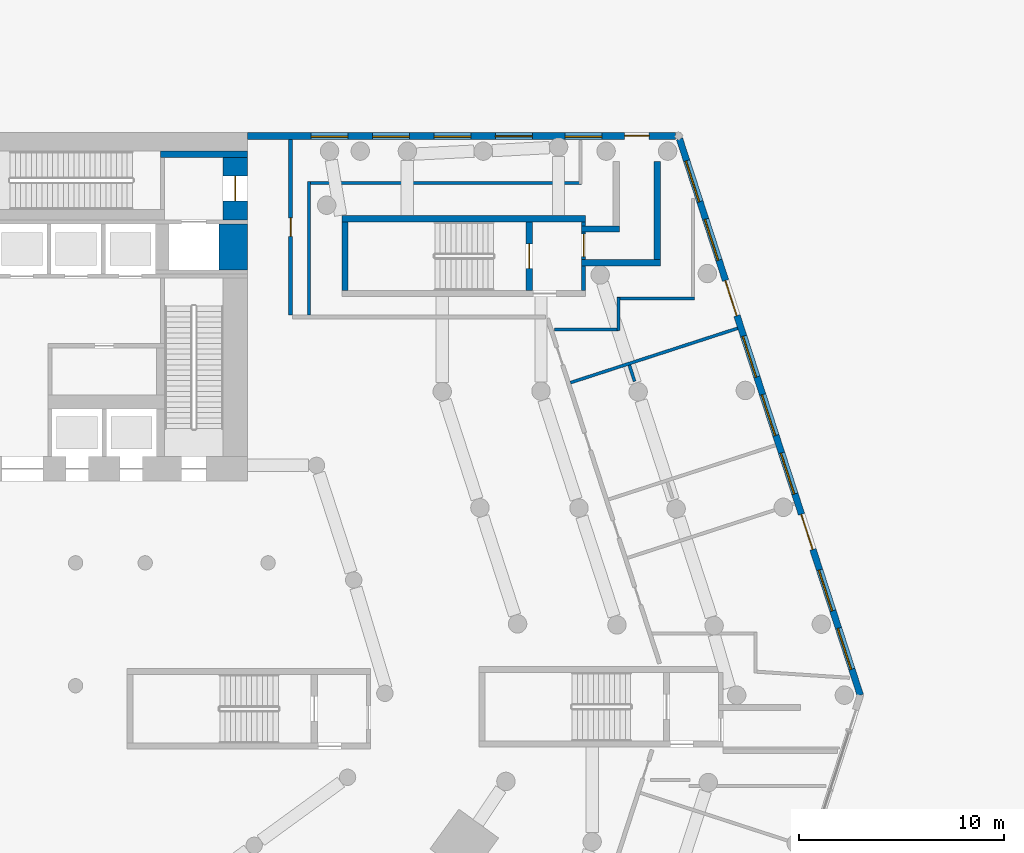
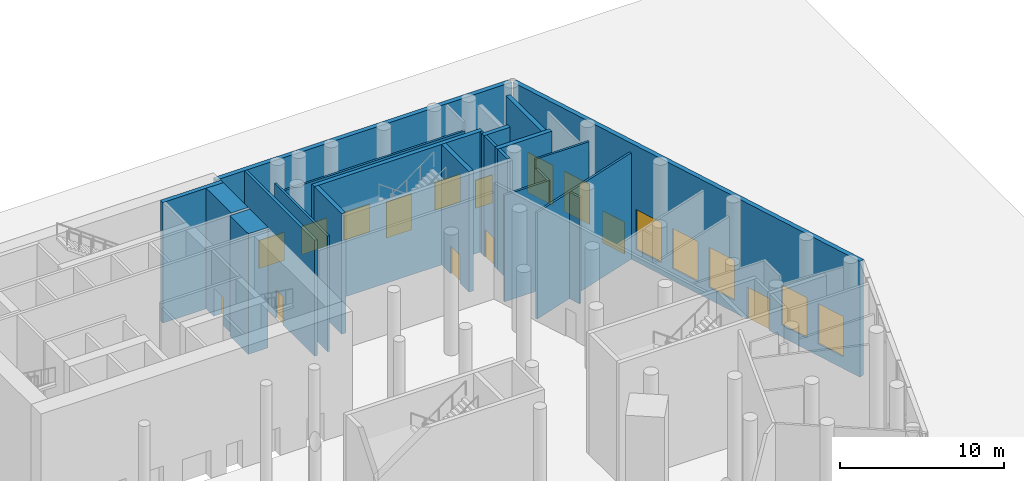
# One storey, part 16 of 25: 22 walls, 11 windows, 8 doors, 19 openings.
"""IFC4 building model written with IfcOpenShell, lengths in metres."""

from ifc_helpers import new_model, si_unit, direction, frame, frame_2d, origin, place, context, subcontext, project, spatial, rectangle, extrude, material, layer, layer_set, type_object, element, fill, save


model = new_model("IFC4")

# Units and contexts
model_context = context("Model", 3, precision=1e-05, world=origin(), true_north=direction((0.0, 1.0)))
body_context = subcontext(model_context, "Body", "Model", "MODEL_VIEW")
ifc_project = project(units=[si_unit("LENGTHUNIT", "METRE"), si_unit("AREAUNIT", "SQUARE_METRE"), si_unit("VOLUMEUNIT", "CUBIC_METRE"), si_unit("PLANEANGLEUNIT", "RADIAN"), si_unit("MASSUNIT", "GRAM", prefix="KILO")], contexts=[model_context])

# Site, building, storey
site_placement = place(None, origin())
site = spatial("IfcSite", under=ifc_project, at=site_placement, CompositionType="ELEMENT")
building_placement = place(site_placement, origin())
building = spatial("IfcBuilding", under=site, at=building_placement, Name="White Candle Pilgrim Tower", CompositionType="ELEMENT")
storey_placement = place(building_placement, origin())
storey = spatial("IfcBuildingStorey", under=building, at=storey_placement, Name="L00", CompositionType="ELEMENT", Elevation=0.0)

# Wall, opening, door
ifc_material_1 = material(Name="Concrete C70/85", Category="concrete")
ifc_layer_1 = layer(ifc_material_1, 1.199951171875)
ifc_layer_set_1 = layer_set([ifc_layer_1], Name="Core wall 1200 mm Concrete C70/85")
wall_type_1 = type_object("IfcWallType", Name="Core wall 1200 mm Concrete C70/85", PredefinedType="SHEAR", material=ifc_layer_set_1)
wall_1_placement = place(storey_placement, frame((80.39990234375, 83.75, 0.0), z_axis=(0.0, 0.0, 1.0), x_axis=(0.0, 1.0, 0.0)))
wall_1 = element("IfcWall", 1, at=wall_1_placement, inside=storey, type_object=wall_type_1, Name="WL-L00-C90", PredefinedType="SHEAR", context=body_context, shape_type="SweptSolid", body=[
    extrude(rectangle(XDim=3.050048828125, YDim=1.199951171875, at=frame_2d((1.52490234375, 0.0))), origin(), (0.0, 0.0, 1.0), 9.0),
])
opening_1_placement = place(wall_1_placement, frame((0.925048828125, 0.0, 0.0)))
opening_1 = element("IfcOpeningElement", 2, at=opening_1_placement, cuts=wall_1, Name="Opening L00-006", PredefinedType="OPENING", context=body_context, shape_type="SweptSolid", body=[
    extrude(rectangle(XDim=1.199951171875, YDim=2.10009765625, at=frame_2d((0.60009765625, 1.050048828125))), frame((0.0, 0.60986328125, 0.0), z_axis=(0.0, -1.0, 0.0), x_axis=(1.0, 0.0, 0.0)), (0.0, 0.0, 1.0), 1.219970703125),
])
ifc_material_2 = material(Name="Steel door leaf", Category="steel")
door_type_1 = type_object("IfcDoorType", Name="Fire door 1200 x 2100 EI 30", OperationType="NOTDEFINED", PredefinedType="DOOR", material=ifc_material_2)
door_1_placement = place(opening_1_placement, origin())
door_1 = element("IfcDoor", 3, at=door_1_placement, inside=storey, type_object=door_type_1, Name="Door L00-006", OperationType="SINGLE_SWING_RIGHT", OverallHeight=2.10009765625, OverallWidth=1.199951171875, PredefinedType="DOOR", context=body_context, shape_type="SweptSolid", body=[
    extrude(rectangle(XDim=1.199951171875, YDim=2.10009765625, at=frame_2d((0.60009765625, 1.050048828125))), frame((0.0, 0.02490234375, 0.0), z_axis=(0.0, -1.0, 0.0), x_axis=(1.0, 0.0, 0.0)), (0.0, 0.0, 1.0), 0.050048828125),
])
fill(opening_1, door_1)

# Walls
ifc_layer_2 = layer(ifc_material_1, 1.39990234375)
ifc_layer_set_2 = layer_set([ifc_layer_2], Name="Core wall 1400 mm Concrete C70/85")
wall_type_2 = type_object("IfcWallType", Name="Core wall 1400 mm Concrete C70/85", PredefinedType="SHEAR", material=ifc_layer_set_2)
wall_2_placement = place(storey_placement, frame((80.300048828125, 81.300048828125, 0.0), z_axis=(0.0, 0.0, 1.0), x_axis=(0.0, 1.0, 0.0)))
element("IfcWall", 4, at=wall_2_placement, inside=storey, type_object=wall_type_2, Name="WL-L00-C78", PredefinedType="SHEAR", context=body_context, shape_type="SweptSolid", body=[
    extrude(rectangle(XDim=2.25, YDim=1.39990234375, at=frame_2d((1.125, 0.0))), origin(), (0.0, 0.0, 1.0), 9.0),
])
ifc_layer_3 = layer(ifc_material_1, 0.199951171875)
ifc_layer_set_3 = layer_set([ifc_layer_3], Name="Core wall 200 mm Concrete C70/85")
wall_type_3 = type_object("IfcWallType", Name="Core wall 200 mm Concrete C70/85", PredefinedType="SHEAR", material=ifc_layer_set_3)
wall_3_placement = place(storey_placement, frame((97.39990234375, 80.300048828125, 0.0), z_axis=(0.0, 0.0, 1.0), x_axis=(0.0, 1.0, 0.0)))
element("IfcWall", 5, at=wall_3_placement, inside=storey, type_object=wall_type_3, Name="WL-L00-C67", PredefinedType="SHEAR", context=body_context, shape_type="SweptSolid", body=[
    extrude(rectangle(XDim=1.199951171875, YDim=0.199951171875, at=frame_2d((0.60009765625, 0.0))), origin(), (0.0, 0.0, 1.0), 9.0),
])
wall_4_placement = place(storey_placement, frame((97.300048828125, 83.550048828125, 0.0), z_axis=(0.0, 0.0, 1.0), x_axis=(1.0, 0.0, 0.0)))
element("IfcWall", 6, at=wall_4_placement, inside=storey, type_object=wall_type_3, Name="WL-L00-C83", PredefinedType="SHEAR", context=body_context, shape_type="SweptSolid", body=[
    extrude(rectangle(XDim=0.199951171875, YDim=0.199951171875, at=frame_2d((0.10009765625, 0.0))), origin(), (0.0, 0.0, 1.0), 9.0),
])

# Wall, opening, door
ifc_material_3 = material(Name="Gypsum board on steel studs", Category="steel")
ifc_layer_4 = layer(ifc_material_3, 0.199951171875)
ifc_layer_set_4 = layer_set([ifc_layer_4], Name="Corridor wall 200 mm EI 45")
wall_type_4 = type_object("IfcWallType", Name="Corridor wall 200 mm EI 45", PredefinedType="PARTITIONING", material=ifc_layer_set_4)
wall_5_placement = place(storey_placement, frame((83.10009765625, 87.679931640625, 0.0), z_axis=(0.0, 0.0, 1.0), x_axis=(0.0, -1.0, 0.0)))
wall_5 = element("IfcWall", 7, at=wall_5_placement, inside=storey, type_object=wall_type_4, Name="WL-L00-P008", PredefinedType="PARTITIONING", context=body_context, shape_type="SweptSolid", body=[
    extrude(rectangle(XDim=8.579833984375, YDim=0.199951171875, at=frame_2d((4.2900390625, 0.0))), origin(), (0.0, 0.0, 1.0), 8.64990234375),
])
opening_2_placement = place(wall_5_placement, frame((3.840087890625, 0.0, 0.0)))
opening_2 = element("IfcOpeningElement", 8, at=opening_2_placement, cuts=wall_5, Name="Opening L00-125", PredefinedType="OPENING", context=body_context, shape_type="SweptSolid", body=[
    extrude(rectangle(XDim=0.89990234375, YDim=2.10009765625, at=frame_2d((0.449951171875, 1.050048828125))), frame((0.0, 0.10986328125, 0.0), z_axis=(0.0, -1.0, 0.0), x_axis=(1.0, 0.0, 0.0)), (0.0, 0.0, 1.0), 0.219970703125),
])
door_type_2 = type_object("IfcDoorType", Name="Fire door 900 x 2100 EI 30", OperationType="NOTDEFINED", PredefinedType="DOOR", material=ifc_material_2)
door_2_placement = place(opening_2_placement, origin())
door_2 = element("IfcDoor", 9, at=door_2_placement, inside=storey, type_object=door_type_2, Name="Door L00-125", OperationType="SINGLE_SWING_LEFT", OverallHeight=2.10009765625, OverallWidth=0.89990234375, PredefinedType="DOOR", context=body_context, shape_type="SweptSolid", body=[
    extrude(rectangle(XDim=0.89990234375, YDim=2.10009765625, at=frame_2d((0.449951171875, 1.050048828125))), frame((0.0, 0.02490234375, 0.0), z_axis=(0.0, -1.0, 0.0), x_axis=(1.0, 0.0, 0.0)), (0.0, 0.0, 1.0), 0.050048828125),
])
fill(opening_2, door_2)

# Wall, openings, doors, windows
ifc_material_4 = material(Name="Precast concrete C40/50", Category="concrete")
ifc_layer_5 = layer(ifc_material_4, 0.320068359375)
ifc_layer_set_5 = layer_set([ifc_layer_5], Name="Facade wall EW3 precast concrete C40/50 and stone-faced podium wall")
wall_type_5 = type_object("IfcWallType", Name="Facade wall EW3 precast concrete C40/50 and stone-faced podium wall", PredefinedType="SOLIDWALL", material=ifc_layer_set_5)
wall_6_placement = place(storey_placement, frame((110.911865234375, 60.5390625, 0.0), z_axis=(0.0, 0.0, 1.0), x_axis=(-0.309016476183, 0.951056684666, 0.0)))
wall_6 = element("IfcWall", 10, at=wall_6_placement, inside=storey, type_object=wall_type_5, Name="Facade wall L00 ENE", PredefinedType="SOLIDWALL", context=body_context, shape_type="SweptSolid", body=[
    extrude(rectangle(XDim=28.555908203125, YDim=0.320068359375, at=frame_2d((14.27783203125, 0.0))), origin(), (0.0, 0.0, 1.0), 8.64990234375),
])
opening_3_placement = place(wall_6_placement, frame((1.3349609375, 0.0, 0.89990234375)))
opening_3 = element("IfcOpeningElement", 11, at=opening_3_placement, cuts=wall_6, Name="Opening W7", PredefinedType="OPENING", context=body_context, shape_type="SweptSolid", body=[
    extrude(rectangle(XDim=2.10009765625, YDim=3.0, at=frame_2d((1.050048828125, 1.5))), frame((0.0, 0.169921875, 0.0), z_axis=(0.0, -1.0, 0.0), x_axis=(1.0, 0.0, 0.0)), (0.0, 0.0, 1.0), 0.340087890625),
])
opening_4_placement = place(wall_6_placement, frame((4.3349609375, 0.0, 0.89990234375)))
opening_4 = element("IfcOpeningElement", 12, at=opening_4_placement, cuts=wall_6, Name="Opening W7", PredefinedType="OPENING", context=body_context, shape_type="SweptSolid", body=[
    extrude(rectangle(XDim=2.10009765625, YDim=3.0, at=frame_2d((1.050048828125, 1.5))), frame((0.0, 0.169921875, 0.0), z_axis=(0.0, -1.0, 0.0), x_axis=(1.0, 0.0, 0.0)), (0.0, 0.0, 1.0), 0.340087890625),
])
opening_5_placement = place(wall_6_placement, frame((7.485107421875, 0.0, 0.0)))
opening_5 = element("IfcOpeningElement", 13, at=opening_5_placement, cuts=wall_6, Name="Opening L00-914", PredefinedType="OPENING", context=body_context, shape_type="SweptSolid", body=[
    extrude(rectangle(XDim=1.800048828125, YDim=2.39990234375, at=frame_2d((0.89990234375, 1.199951171875))), frame((0.0, 0.169921875, 0.0), z_axis=(0.0, -1.0, 0.0), x_axis=(1.0, 0.0, 0.0)), (0.0, 0.0, 1.0), 0.340087890625),
])
opening_6_placement = place(wall_6_placement, frame((10.3349609375, 0.0, 0.89990234375)))
opening_6 = element("IfcOpeningElement", 14, at=opening_6_placement, cuts=wall_6, Name="Opening W7", PredefinedType="OPENING", context=body_context, shape_type="SweptSolid", body=[
    extrude(rectangle(XDim=2.10009765625, YDim=3.0, at=frame_2d((1.050048828125, 1.5))), frame((0.0, 0.169921875, 0.0), z_axis=(0.0, -1.0, 0.0), x_axis=(1.0, 0.0, 0.0)), (0.0, 0.0, 1.0), 0.340087890625),
])
opening_7_placement = place(wall_6_placement, frame((13.3349609375, 0.0, 0.89990234375)))
opening_7 = element("IfcOpeningElement", 15, at=opening_7_placement, cuts=wall_6, Name="Opening W7", PredefinedType="OPENING", context=body_context, shape_type="SweptSolid", body=[
    extrude(rectangle(XDim=2.10009765625, YDim=3.0, at=frame_2d((1.050048828125, 1.5))), frame((0.0, 0.169921875, 0.0), z_axis=(0.0, -1.0, 0.0), x_axis=(1.0, 0.0, 0.0)), (0.0, 0.0, 1.0), 0.340087890625),
])
opening_8_placement = place(wall_6_placement, frame((16.3349609375, 0.0, 0.89990234375)))
opening_8 = element("IfcOpeningElement", 16, at=opening_8_placement, cuts=wall_6, Name="Opening W7", PredefinedType="OPENING", context=body_context, shape_type="SweptSolid", body=[
    extrude(rectangle(XDim=2.10009765625, YDim=3.0, at=frame_2d((1.050048828125, 1.5))), frame((0.0, 0.169921875, 0.0), z_axis=(0.0, -1.0, 0.0), x_axis=(1.0, 0.0, 0.0)), (0.0, 0.0, 1.0), 0.340087890625),
])
opening_9_placement = place(wall_6_placement, frame((19.485107421875, 0.0, 0.0)))
opening_9 = element("IfcOpeningElement", 17, at=opening_9_placement, cuts=wall_6, Name="Opening L00-915", PredefinedType="OPENING", context=body_context, shape_type="SweptSolid", body=[
    extrude(rectangle(XDim=1.800048828125, YDim=2.39990234375, at=frame_2d((0.89990234375, 1.199951171875))), frame((0.0, 0.169921875, 0.0), z_axis=(0.0, -1.0, 0.0), x_axis=(1.0, 0.0, 0.0)), (0.0, 0.0, 1.0), 0.340087890625),
])
opening_10_placement = place(wall_6_placement, frame((22.3349609375, 0.0, 0.89990234375)))
opening_10 = element("IfcOpeningElement", 18, at=opening_10_placement, cuts=wall_6, Name="Opening W7", PredefinedType="OPENING", context=body_context, shape_type="SweptSolid", body=[
    extrude(rectangle(XDim=2.10009765625, YDim=3.0, at=frame_2d((1.050048828125, 1.5))), frame((0.0, 0.169921875, 0.0), z_axis=(0.0, -1.0, 0.0), x_axis=(1.0, 0.0, 0.0)), (0.0, 0.0, 1.0), 0.340087890625),
])
opening_11_placement = place(wall_6_placement, frame((25.3349609375, 0.0, 0.89990234375)))
opening_11 = element("IfcOpeningElement", 19, at=opening_11_placement, cuts=wall_6, Name="Opening W7", PredefinedType="OPENING", context=body_context, shape_type="SweptSolid", body=[
    extrude(rectangle(XDim=2.10009765625, YDim=3.0, at=frame_2d((1.050048828125, 1.5))), frame((0.0, 0.169921875, 0.0), z_axis=(0.0, -1.0, 0.0), x_axis=(1.0, 0.0, 0.0)), (0.0, 0.0, 1.0), 0.340087890625),
])
ifc_material_5 = material(Name="Timber frame with laminated glazing", Category="wood")
door_type_3 = type_object("IfcDoorType", Name="Exit door EN5 1800x2400 double leaf", OperationType="DOUBLE_DOOR_DOUBLE_SWING", PredefinedType="DOOR", material=ifc_material_5)
door_3_placement = place(opening_5_placement, origin())
door_3 = element("IfcDoor", 20, at=door_3_placement, inside=storey, type_object=door_type_3, Name="Door L00 ENE 3", OperationType="DOUBLE_DOOR_DOUBLE_SWING", OverallHeight=2.39990234375, OverallWidth=1.800048828125, PredefinedType="DOOR", context=body_context, shape_type="SweptSolid", body=[
    extrude(rectangle(XDim=1.800048828125, YDim=2.39990234375, at=frame_2d((0.89990234375, 1.199951171875))), frame((0.0, 0.0400390625, 0.0), z_axis=(0.0, -1.0, 0.0), x_axis=(1.0, 0.0, 0.0)), (0.0, 0.0, 1.0), 0.050048828125),
])
fill(opening_5, door_3)
door_4_placement = place(opening_9_placement, origin())
door_4 = element("IfcDoor", 21, at=door_4_placement, inside=storey, type_object=door_type_3, Name="Door L00 ENE 7", OperationType="DOUBLE_DOOR_DOUBLE_SWING", OverallHeight=2.39990234375, OverallWidth=1.800048828125, PredefinedType="DOOR", context=body_context, shape_type="SweptSolid", body=[
    extrude(rectangle(XDim=1.800048828125, YDim=2.39990234375, at=frame_2d((0.89990234375, 1.199951171875))), frame((0.0, 0.0400390625, 0.0), z_axis=(0.0, -1.0, 0.0), x_axis=(1.0, 0.0, 0.0)), (0.0, 0.0, 1.0), 0.050048828125),
])
fill(opening_9, door_4)
ifc_material_6 = material(Name="Timber frame with triple glazing", Category="wood")
window_type_1 = type_object("IfcWindowType", Name="Window W7 2100x3000 timber frame triple glazing", PartitioningType="SINGLE_PANEL", PredefinedType="WINDOW", material=ifc_material_6)
window_1_placement = place(opening_3_placement, origin())
window_1 = element("IfcWindow", 22, at=window_1_placement, inside=storey, type_object=window_type_1, Name="Window W7 L00 ENE 1", OverallHeight=3.0, OverallWidth=2.10009765625, PartitioningType="SINGLE_PANEL", PredefinedType="WINDOW", context=body_context, shape_type="SweptSolid", body=[
    extrude(rectangle(XDim=2.10009765625, YDim=3.0, at=frame_2d((1.050048828125, 1.5))), frame((0.0, 0.070068359375, 0.0), z_axis=(0.0, -1.0, 0.0), x_axis=(1.0, 0.0, 0.0)), (0.0, 0.0, 1.0), 0.06005859375),
])
fill(opening_3, window_1)
window_2_placement = place(opening_4_placement, origin())
window_2 = element("IfcWindow", 23, at=window_2_placement, inside=storey, type_object=window_type_1, Name="Window W7 L00 ENE 2", OverallHeight=3.0, OverallWidth=2.10009765625, PartitioningType="SINGLE_PANEL", PredefinedType="WINDOW", context=body_context, shape_type="SweptSolid", body=[
    extrude(rectangle(XDim=2.10009765625, YDim=3.0, at=frame_2d((1.050048828125, 1.5))), frame((0.0, 0.070068359375, 0.0), z_axis=(0.0, -1.0, 0.0), x_axis=(1.0, 0.0, 0.0)), (0.0, 0.0, 1.0), 0.06005859375),
])
fill(opening_4, window_2)
window_3_placement = place(opening_6_placement, origin())
window_3 = element("IfcWindow", 24, at=window_3_placement, inside=storey, type_object=window_type_1, Name="Window W7 L00 ENE 4", OverallHeight=3.0, OverallWidth=2.10009765625, PartitioningType="SINGLE_PANEL", PredefinedType="WINDOW", context=body_context, shape_type="SweptSolid", body=[
    extrude(rectangle(XDim=2.10009765625, YDim=3.0, at=frame_2d((1.050048828125, 1.5))), frame((0.0, 0.070068359375, 0.0), z_axis=(0.0, -1.0, 0.0), x_axis=(1.0, 0.0, 0.0)), (0.0, 0.0, 1.0), 0.06005859375),
])
fill(opening_6, window_3)
window_4_placement = place(opening_7_placement, origin())
window_4 = element("IfcWindow", 25, at=window_4_placement, inside=storey, type_object=window_type_1, Name="Window W7 L00 ENE 5", OverallHeight=3.0, OverallWidth=2.10009765625, PartitioningType="SINGLE_PANEL", PredefinedType="WINDOW", context=body_context, shape_type="SweptSolid", body=[
    extrude(rectangle(XDim=2.10009765625, YDim=3.0, at=frame_2d((1.050048828125, 1.5))), frame((0.0, 0.070068359375, 0.0), z_axis=(0.0, -1.0, 0.0), x_axis=(1.0, 0.0, 0.0)), (0.0, 0.0, 1.0), 0.06005859375),
])
fill(opening_7, window_4)
window_5_placement = place(opening_8_placement, origin())
window_5 = element("IfcWindow", 26, at=window_5_placement, inside=storey, type_object=window_type_1, Name="Window W7 L00 ENE 6", OverallHeight=3.0, OverallWidth=2.10009765625, PartitioningType="SINGLE_PANEL", PredefinedType="WINDOW", context=body_context, shape_type="SweptSolid", body=[
    extrude(rectangle(XDim=2.10009765625, YDim=3.0, at=frame_2d((1.050048828125, 1.5))), frame((0.0, 0.070068359375, 0.0), z_axis=(0.0, -1.0, 0.0), x_axis=(1.0, 0.0, 0.0)), (0.0, 0.0, 1.0), 0.06005859375),
])
fill(opening_8, window_5)
window_6_placement = place(opening_10_placement, origin())
window_6 = element("IfcWindow", 27, at=window_6_placement, inside=storey, type_object=window_type_1, Name="Window W7 L00 ENE 8", OverallHeight=3.0, OverallWidth=2.10009765625, PartitioningType="SINGLE_PANEL", PredefinedType="WINDOW", context=body_context, shape_type="SweptSolid", body=[
    extrude(rectangle(XDim=2.10009765625, YDim=3.0, at=frame_2d((1.050048828125, 1.5))), frame((0.0, 0.070068359375, 0.0), z_axis=(0.0, -1.0, 0.0), x_axis=(1.0, 0.0, 0.0)), (0.0, 0.0, 1.0), 0.06005859375),
])
fill(opening_10, window_6)
window_7_placement = place(opening_11_placement, origin())
window_7 = element("IfcWindow", 28, at=window_7_placement, inside=storey, type_object=window_type_1, Name="Window W7 L00 ENE 9", OverallHeight=3.0, OverallWidth=2.10009765625, PartitioningType="SINGLE_PANEL", PredefinedType="WINDOW", context=body_context, shape_type="SweptSolid", body=[
    extrude(rectangle(XDim=2.10009765625, YDim=3.0, at=frame_2d((1.050048828125, 1.5))), frame((0.0, 0.070068359375, 0.0), z_axis=(0.0, -1.0, 0.0), x_axis=(1.0, 0.0, 0.0)), (0.0, 0.0, 1.0), 0.06005859375),
])
fill(opening_11, window_7)

wall_7_placement = place(storey_placement, frame((101.891357421875, 87.840087890625, 0.0), z_axis=(0.0, 0.0, 1.0), x_axis=(-1.0, 0.0, 0.0)))
wall_7 = element("IfcWall", 29, at=wall_7_placement, inside=storey, type_object=wall_type_5, Name="Facade wall L00 N", PredefinedType="SOLIDWALL", context=body_context, shape_type="SweptSolid", body=[
    extrude(rectangle(XDim=20.891357421875, YDim=0.320068359375, at=frame_2d((10.44580078125, 0.0))), origin(), (0.0, 0.0, 1.0), 8.64990234375),
])
opening_12_placement = place(wall_7_placement, frame((3.59130859375, 0.0, 0.89990234375)))
opening_12 = element("IfcOpeningElement", 30, at=opening_12_placement, cuts=wall_7, Name="Opening W8", PredefinedType="OPENING", context=body_context, shape_type="SweptSolid", body=[
    extrude(rectangle(XDim=1.800048828125, YDim=2.10009765625, at=frame_2d((0.89990234375, 1.050048828125))), frame((0.0, 0.169921875, 0.0), z_axis=(0.0, -1.0, 0.0), x_axis=(1.0, 0.0, 0.0)), (0.0, 0.0, 1.0), 0.340087890625),
])
opening_13_placement = place(wall_7_placement, frame((6.9912109375, 0.0, 0.0)))
opening_13 = element("IfcOpeningElement", 31, at=opening_13_placement, cuts=wall_7, Name="Opening L00-916", PredefinedType="OPENING", context=body_context, shape_type="SweptSolid", body=[
    extrude(rectangle(XDim=1.800048828125, YDim=2.699951171875, at=frame_2d((0.89990234375, 1.35009765625))), frame((0.0, 0.169921875, 0.0), z_axis=(0.0, -1.0, 0.0), x_axis=(1.0, 0.0, 0.0)), (0.0, 0.0, 1.0), 0.340087890625),
])
opening_14_placement = place(wall_7_placement, frame((9.9912109375, 0.0, 0.89990234375)))
opening_14 = element("IfcOpeningElement", 32, at=opening_14_placement, cuts=wall_7, Name="Opening W8", PredefinedType="OPENING", context=body_context, shape_type="SweptSolid", body=[
    extrude(rectangle(XDim=1.800048828125, YDim=2.10009765625, at=frame_2d((0.89990234375, 1.050048828125))), frame((0.0, 0.169921875, 0.0), z_axis=(0.0, -1.0, 0.0), x_axis=(1.0, 0.0, 0.0)), (0.0, 0.0, 1.0), 0.340087890625),
])
opening_15_placement = place(wall_7_placement, frame((12.9912109375, 0.0, 0.89990234375)))
opening_15 = element("IfcOpeningElement", 33, at=opening_15_placement, cuts=wall_7, Name="Opening W8", PredefinedType="OPENING", context=body_context, shape_type="SweptSolid", body=[
    extrude(rectangle(XDim=1.800048828125, YDim=2.10009765625, at=frame_2d((0.89990234375, 1.050048828125))), frame((0.0, 0.169921875, 0.0), z_axis=(0.0, -1.0, 0.0), x_axis=(1.0, 0.0, 0.0)), (0.0, 0.0, 1.0), 0.340087890625),
])
opening_16_placement = place(wall_7_placement, frame((15.9912109375, 0.0, 0.89990234375)))
opening_16 = element("IfcOpeningElement", 34, at=opening_16_placement, cuts=wall_7, Name="Opening W8", PredefinedType="OPENING", context=body_context, shape_type="SweptSolid", body=[
    extrude(rectangle(XDim=1.800048828125, YDim=2.10009765625, at=frame_2d((0.89990234375, 1.050048828125))), frame((0.0, 0.169921875, 0.0), z_axis=(0.0, -1.0, 0.0), x_axis=(1.0, 0.0, 0.0)), (0.0, 0.0, 1.0), 0.340087890625),
])
opening_17_placement = place(wall_7_placement, frame((1.291259765625, 0.0, 0.0)))
opening_17 = element("IfcOpeningElement", 35, at=opening_17_placement, cuts=wall_7, Name="Opening L00-927", PredefinedType="OPENING", context=body_context, shape_type="SweptSolid", body=[
    extrude(rectangle(XDim=1.199951171875, YDim=2.10009765625, at=frame_2d((0.60009765625, 1.050048828125))), frame((0.0, 0.169921875, 0.0), z_axis=(0.0, -1.0, 0.0), x_axis=(1.0, 0.0, 0.0)), (0.0, 0.0, 1.0), 0.340087890625),
])
door_type_4 = type_object("IfcDoorType", Name="Exit door EN7 1200x2100 single leaf", OperationType="SINGLE_SWING_RIGHT", PredefinedType="DOOR", material=ifc_material_5)
door_5_placement = place(opening_17_placement, frame((1.199951171875, 0.0, 0.0), z_axis=(0.0, 0.0, 1.0), x_axis=(-1.0, 0.0, 0.0)))
door_5 = element("IfcDoor", 36, at=door_5_placement, inside=storey, type_object=door_type_4, Name="Door L00 exit ST11", OperationType="SINGLE_SWING_RIGHT", OverallHeight=2.10009765625, OverallWidth=1.199951171875, PredefinedType="DOOR", context=body_context, shape_type="SweptSolid", body=[
    extrude(rectangle(XDim=1.199951171875, YDim=2.10009765625, at=frame_2d((0.60009765625, 1.050048828125))), frame((0.0, 0.0400390625, 0.0), z_axis=(0.0, -1.0, 0.0), x_axis=(1.0, 0.0, 0.0)), (0.0, 0.0, 1.0), 0.050048828125),
])
fill(opening_17, door_5)
door_type_5 = type_object("IfcDoorType", Name="Service door EN3 1800x2700 double leaf", OperationType="DOUBLE_DOOR_DOUBLE_SWING", PredefinedType="DOOR", material=ifc_material_5)
door_6_placement = place(opening_13_placement, origin())
door_6 = element("IfcDoor", 37, at=door_6_placement, inside=storey, type_object=door_type_5, Name="Door L00 N 3", OperationType="DOUBLE_DOOR_DOUBLE_SWING", OverallHeight=2.699951171875, OverallWidth=1.800048828125, PredefinedType="DOOR", context=body_context, shape_type="SweptSolid", body=[
    extrude(rectangle(XDim=1.800048828125, YDim=2.699951171875, at=frame_2d((0.89990234375, 1.35009765625))), frame((0.0, 0.0400390625, 0.0), z_axis=(0.0, -1.0, 0.0), x_axis=(1.0, 0.0, 0.0)), (0.0, 0.0, 1.0), 0.050048828125),
])
fill(opening_13, door_6)
window_type_2 = type_object("IfcWindowType", Name="Window W8 1800x2100 timber frame triple glazing", PartitioningType="SINGLE_PANEL", PredefinedType="WINDOW", material=ifc_material_6)
window_8_placement = place(opening_12_placement, origin())
window_8 = element("IfcWindow", 38, at=window_8_placement, inside=storey, type_object=window_type_2, Name="Window W8 L00 N 2", OverallHeight=2.10009765625, OverallWidth=1.800048828125, PartitioningType="SINGLE_PANEL", PredefinedType="WINDOW", context=body_context, shape_type="SweptSolid", body=[
    extrude(rectangle(XDim=1.800048828125, YDim=2.10009765625, at=frame_2d((0.89990234375, 1.050048828125))), frame((0.0, 0.070068359375, 0.0), z_axis=(0.0, -1.0, 0.0), x_axis=(1.0, 0.0, 0.0)), (0.0, 0.0, 1.0), 0.06005859375),
])
fill(opening_12, window_8)
window_9_placement = place(opening_14_placement, origin())
window_9 = element("IfcWindow", 39, at=window_9_placement, inside=storey, type_object=window_type_2, Name="Window W8 L00 N 4", OverallHeight=2.10009765625, OverallWidth=1.800048828125, PartitioningType="SINGLE_PANEL", PredefinedType="WINDOW", context=body_context, shape_type="SweptSolid", body=[
    extrude(rectangle(XDim=1.800048828125, YDim=2.10009765625, at=frame_2d((0.89990234375, 1.050048828125))), frame((0.0, 0.070068359375, 0.0), z_axis=(0.0, -1.0, 0.0), x_axis=(1.0, 0.0, 0.0)), (0.0, 0.0, 1.0), 0.06005859375),
])
fill(opening_14, window_9)
window_10_placement = place(opening_15_placement, origin())
window_10 = element("IfcWindow", 40, at=window_10_placement, inside=storey, type_object=window_type_2, Name="Window W8 L00 N 5", OverallHeight=2.10009765625, OverallWidth=1.800048828125, PartitioningType="SINGLE_PANEL", PredefinedType="WINDOW", context=body_context, shape_type="SweptSolid", body=[
    extrude(rectangle(XDim=1.800048828125, YDim=2.10009765625, at=frame_2d((0.89990234375, 1.050048828125))), frame((0.0, 0.070068359375, 0.0), z_axis=(0.0, -1.0, 0.0), x_axis=(1.0, 0.0, 0.0)), (0.0, 0.0, 1.0), 0.06005859375),
])
fill(opening_15, window_10)
window_11_placement = place(opening_16_placement, origin())
window_11 = element("IfcWindow", 41, at=window_11_placement, inside=storey, type_object=window_type_2, Name="Window W8 L00 N 6", OverallHeight=2.10009765625, OverallWidth=1.800048828125, PartitioningType="SINGLE_PANEL", PredefinedType="WINDOW", context=body_context, shape_type="SweptSolid", body=[
    extrude(rectangle(XDim=1.800048828125, YDim=2.10009765625, at=frame_2d((0.89990234375, 1.050048828125))), frame((0.0, 0.070068359375, 0.0), z_axis=(0.0, -1.0, 0.0), x_axis=(1.0, 0.0, 0.0)), (0.0, 0.0, 1.0), 0.06005859375),
])
fill(opening_16, window_11)

# Walls
ifc_layer_6 = layer(ifc_material_3, 0.300048828125)
ifc_layer_set_6 = layer_set([ifc_layer_6], Name="Lobby wall 300 mm REI 240")
wall_type_6 = type_object("IfcWallType", Name="Lobby wall 300 mm REI 240", PredefinedType="PARTITIONING", material=ifc_layer_set_6)
wall_8_placement = place(storey_placement, frame((101.0, 81.800048828125, 0.0), z_axis=(0.0, 0.0, 1.0), x_axis=(0.0, 1.0, 0.0)))
element("IfcWall", 42, at=wall_8_placement, inside=storey, type_object=wall_type_6, Name="WL-L00-C81", PredefinedType="PARTITIONING", context=body_context, shape_type="SweptSolid", body=[
    extrude(rectangle(XDim=4.800048828125, YDim=0.300048828125, at=frame_2d((2.39990234375, 0.0))), origin(), (0.0, 0.0, 1.0), 8.64990234375),
])
ifc_layer_7 = layer(ifc_material_3, 0.14990234375)
ifc_layer_set_7 = layer_set([ifc_layer_7], Name="Partition 150 mm EI 60")
wall_type_7 = type_object("IfcWallType", Name="Partition 150 mm EI 60", PredefinedType="PARTITIONING", material=ifc_layer_set_7)
wall_9_placement = place(storey_placement, frame((104.923828125, 78.450439453125, 0.0), z_axis=(0.0, 0.0, 1.0), x_axis=(-0.951054768527, -0.309022373402, 0.0)))
element("IfcWall", 43, at=wall_9_placement, inside=storey, type_object=wall_type_7, Name="WL-L00-P031", PredefinedType="PARTITIONING", context=body_context, shape_type="SweptSolid", body=[
    extrude(rectangle(XDim=8.579833984375, YDim=0.14990234375, at=frame_2d((4.2900390625, 0.0))), origin(), (0.0, 0.0, 1.0), 7.949951171875),
])
wall_10_placement = place(storey_placement, frame((99.893798828125, 75.858154296875, 0.0), z_axis=(0.0, 0.0, 1.0), x_axis=(-0.308947409325, 0.951079123034, 0.0)))
element("IfcWall", 44, at=wall_10_placement, inside=storey, type_object=wall_type_7, Name="WL-L00-P045", PredefinedType="PARTITIONING", context=body_context, shape_type="SweptSolid", body=[
    extrude(rectangle(XDim=0.836181640625, YDim=0.14990234375, at=frame_2d((0.41796875, 0.0))), origin(), (0.0, 0.0, 1.0), 7.949951171875),
])
wall_11_placement = place(storey_placement, frame((97.31005859375, 85.550048828125, 0.0), z_axis=(0.0, 0.0, 1.0), x_axis=(-1.0, 0.0, 0.0)))
element("IfcWall", 45, at=wall_11_placement, inside=storey, type_object=wall_type_7, Name="WL-L00-P064", PredefinedType="PARTITIONING", context=body_context, shape_type="SweptSolid", body=[
    extrude(rectangle(XDim=13.3701171875, YDim=0.14990234375, at=frame_2d((6.68505859375, 0.0))), origin(), (0.0, 0.0, 1.0), 7.949951171875),
])
wall_12_placement = place(storey_placement, frame((84.0, 85.610107421875, 0.0), z_axis=(0.0, 0.0, 1.0), x_axis=(0.0, -1.0, 0.0)))
element("IfcWall", 46, at=wall_12_placement, inside=storey, type_object=wall_type_7, Name="WL-L00-P065", PredefinedType="PARTITIONING", context=body_context, shape_type="SweptSolid", body=[
    extrude(rectangle(XDim=6.510009765625, YDim=0.14990234375, at=frame_2d((3.2548828125, 0.0))), origin(), (0.0, 0.0, 1.0), 8.64990234375),
])
wall_13_placement = place(storey_placement, frame((99.10009765625, 78.340087890625, 0.0), z_axis=(0.0, 0.0, 1.0), x_axis=(0.0, 1.0, 0.0)))
element("IfcWall", 47, at=wall_13_placement, inside=storey, type_object=wall_type_7, Name="WL-L00-P066", PredefinedType="PARTITIONING", context=body_context, shape_type="SweptSolid", body=[
    extrude(rectangle(XDim=1.619873046875, YDim=0.14990234375, at=frame_2d((0.81005859375, 0.0))), origin(), (0.0, 0.0, 1.0), 7.949951171875),
])
wall_14_placement = place(storey_placement, frame((99.0400390625, 79.89990234375, 0.0), z_axis=(0.0, 0.0, 1.0), x_axis=(1.0, 0.0, 0.0)))
element("IfcWall", 48, at=wall_14_placement, inside=storey, type_object=wall_type_7, Name="WL-L00-P067", PredefinedType="PARTITIONING", context=body_context, shape_type="SweptSolid", body=[
    extrude(rectangle(XDim=3.77001953125, YDim=0.14990234375, at=frame_2d((1.885009765625, 0.0))), origin(), (0.0, 0.0, 1.0), 8.64990234375),
])
wall_15_placement = place(storey_placement, frame((95.981689453125, 78.39990234375, 0.0), z_axis=(0.0, 0.0, 1.0), x_axis=(1.0, 0.0, 0.0)))
element("IfcWall", 49, at=wall_15_placement, inside=storey, type_object=wall_type_7, Name="WL-L00-P069", PredefinedType="PARTITIONING", context=body_context, shape_type="SweptSolid", body=[
    extrude(rectangle(XDim=3.118408203125, YDim=0.14990234375, at=frame_2d((1.55908203125, 0.0))), origin(), (0.0, 0.0, 1.0), 7.949951171875),
])

# Wall, opening, door
ifc_layer_8 = layer(ifc_material_1, 0.199951171875)
ifc_layer_set_8 = layer_set([ifc_layer_8], Name="Stair shaft wall 200 mm Concrete C70/85")
wall_type_8 = type_object("IfcWallType", Name="Stair shaft wall 200 mm Concrete C70/85", PredefinedType="SHEAR", material=ifc_layer_set_8)
wall_16_placement = place(storey_placement, frame((97.39990234375, 81.800048828125, 0.0), z_axis=(0.0, 0.0, 1.0), x_axis=(0.0, 1.0, 0.0)))
wall_16 = element("IfcWall", 50, at=wall_16_placement, inside=storey, type_object=wall_type_8, Name="WL-L00-C80", PredefinedType="SHEAR", context=body_context, shape_type="SweptSolid", body=[
    extrude(rectangle(XDim=1.349853515625, YDim=0.199951171875, at=frame_2d((0.6748046875, 0.0))), origin(), (0.0, 0.0, 1.0), 9.0),
])
opening_18_placement = place(wall_16_placement, frame((0.14990234375, 0.0, 0.0)))
opening_18 = element("IfcOpeningElement", 51, at=opening_18_placement, cuts=wall_16, Name="Opening L00-030", PredefinedType="OPENING", context=body_context, shape_type="SweptSolid", body=[
    extrude(rectangle(XDim=1.10009765625, YDim=2.10009765625, at=frame_2d((0.550048828125, 1.050048828125))), frame((0.0, 0.10986328125, 0.0), z_axis=(0.0, -1.0, 0.0), x_axis=(1.0, 0.0, 0.0)), (0.0, 0.0, 1.0), 0.219970703125),
])
door_type_6 = type_object("IfcDoorType", Name="Fire door 1100 x 2100 EI 60", OperationType="NOTDEFINED", PredefinedType="DOOR", material=ifc_material_2)
door_7_placement = place(opening_18_placement, frame((1.10009765625, 0.0, 0.0), z_axis=(0.0, 0.0, 1.0), x_axis=(-1.0, 0.0, 0.0)))
door_7 = element("IfcDoor", 52, at=door_7_placement, inside=storey, type_object=door_type_6, Name="Door L00-030", OperationType="SINGLE_SWING_LEFT", OverallHeight=2.10009765625, OverallWidth=1.10009765625, PredefinedType="DOOR", context=body_context, shape_type="SweptSolid", body=[
    extrude(rectangle(XDim=1.10009765625, YDim=2.10009765625, at=frame_2d((0.550048828125, 1.050048828125))), frame((0.0, 0.02490234375, 0.0), z_axis=(0.0, -1.0, 0.0), x_axis=(1.0, 0.0, 0.0)), (0.0, 0.0, 1.0), 0.050048828125),
])
fill(opening_18, door_7)

# Wall
ifc_layer_9 = layer(ifc_material_1, 0.300048828125)
ifc_layer_set_9 = layer_set([ifc_layer_9], Name="Stair shaft wall 300 mm Concrete C70/85")
wall_type_9 = type_object("IfcWallType", Name="Stair shaft wall 300 mm Concrete C70/85", PredefinedType="SHEAR", material=ifc_layer_set_9)
wall_17_placement = place(storey_placement, frame((85.75, 80.300048828125, 0.0), z_axis=(0.0, 0.0, 1.0), x_axis=(0.0, 1.0, 0.0)))
element("IfcWall", 53, at=wall_17_placement, inside=storey, type_object=wall_type_9, Name="WL-L00-C65", PredefinedType="SHEAR", context=body_context, shape_type="SweptSolid", body=[
    extrude(rectangle(XDim=3.349853515625, YDim=0.300048828125, at=frame_2d((1.6748046875, 0.0))), origin(), (0.0, 0.0, 1.0), 9.0),
])

# Wall, opening, door
wall_18_placement = place(storey_placement, frame((94.75, 80.300048828125, 0.0), z_axis=(0.0, 0.0, 1.0), x_axis=(0.0, 1.0, 0.0)))
wall_18 = element("IfcWall", 54, at=wall_18_placement, inside=storey, type_object=wall_type_9, Name="WL-L00-C66", PredefinedType="SHEAR", context=body_context, shape_type="SweptSolid", body=[
    extrude(rectangle(XDim=3.349853515625, YDim=0.300048828125, at=frame_2d((1.6748046875, 0.0))), origin(), (0.0, 0.0, 1.0), 9.0),
])
opening_19_placement = place(wall_18_placement, frame((1.074951171875, 0.0, 0.0)))
opening_19 = element("IfcOpeningElement", 55, at=opening_19_placement, cuts=wall_18, Name="Opening L00-029", PredefinedType="OPENING", context=body_context, shape_type="SweptSolid", body=[
    extrude(rectangle(XDim=1.199951171875, YDim=2.10009765625, at=frame_2d((0.60009765625, 1.050048828125))), frame((0.0, 0.159912109375, 0.0), z_axis=(0.0, -1.0, 0.0), x_axis=(1.0, 0.0, 0.0)), (0.0, 0.0, 1.0), 0.320068359375),
])
door_type_7 = type_object("IfcDoorType", Name="Fire door 1200 x 2100 EI 60", OperationType="NOTDEFINED", PredefinedType="DOOR", material=ifc_material_2)
door_8_placement = place(opening_19_placement, origin())
door_8 = element("IfcDoor", 56, at=door_8_placement, inside=storey, type_object=door_type_7, Name="Door L00-029", OperationType="SINGLE_SWING_LEFT", OverallHeight=2.10009765625, OverallWidth=1.199951171875, PredefinedType="DOOR", context=body_context, shape_type="SweptSolid", body=[
    extrude(rectangle(XDim=1.199951171875, YDim=2.10009765625, at=frame_2d((0.60009765625, 1.050048828125))), frame((0.0, 0.02490234375, 0.0), z_axis=(0.0, -1.0, 0.0), x_axis=(1.0, 0.0, 0.0)), (0.0, 0.0, 1.0), 0.050048828125),
])
fill(opening_19, door_8)

# Walls
wall_19_placement = place(storey_placement, frame((97.300048828125, 81.64990234375, 0.0), z_axis=(0.0, 0.0, 1.0), x_axis=(1.0, 0.0, 0.0)))
element("IfcWall", 57, at=wall_19_placement, inside=storey, type_object=wall_type_9, Name="WL-L00-C79", PredefinedType="SHEAR", context=body_context, shape_type="SweptSolid", body=[
    extrude(rectangle(XDim=3.849853515625, YDim=0.300048828125, at=frame_2d((1.9248046875, 0.0))), origin(), (0.0, 0.0, 1.0), 9.0),
])
wall_20_placement = place(storey_placement, frame((97.300048828125, 83.300048828125, 0.0), z_axis=(0.0, 0.0, 1.0), x_axis=(1.0, 0.0, 0.0)))
element("IfcWall", 58, at=wall_20_placement, inside=storey, type_object=wall_type_9, Name="WL-L00-C82", PredefinedType="SHEAR", context=body_context, shape_type="SweptSolid", body=[
    extrude(rectangle(XDim=1.849853515625, YDim=0.300048828125, at=frame_2d((0.9248046875, 0.0))), origin(), (0.0, 0.0, 1.0), 9.0),
])
wall_21_placement = place(storey_placement, frame((85.60009765625, 83.800048828125, 0.0), z_axis=(0.0, 0.0, 1.0), x_axis=(1.0, 0.0, 0.0)))
element("IfcWall", 59, at=wall_21_placement, inside=storey, type_object=wall_type_9, Name="WL-L00-C87", PredefinedType="SHEAR", context=body_context, shape_type="SweptSolid", body=[
    extrude(rectangle(XDim=11.89990234375, YDim=0.300048828125, at=frame_2d((5.949951171875, 0.0))), origin(), (0.0, 0.0, 1.0), 9.0),
])
wall_22_placement = place(storey_placement, frame((76.75, 86.949951171875, 0.0), z_axis=(0.0, 0.0, 1.0), x_axis=(1.0, 0.0, 0.0)))
element("IfcWall", 60, at=wall_22_placement, inside=storey, type_object=wall_type_9, Name="WL-L00-C94", PredefinedType="SHEAR", context=body_context, shape_type="SweptSolid", body=[
    extrude(rectangle(XDim=4.25, YDim=0.300048828125, at=frame_2d((2.125, 0.0))), origin(), (0.0, 0.0, 1.0), 9.0),
])

save(model, "model.ifc")
